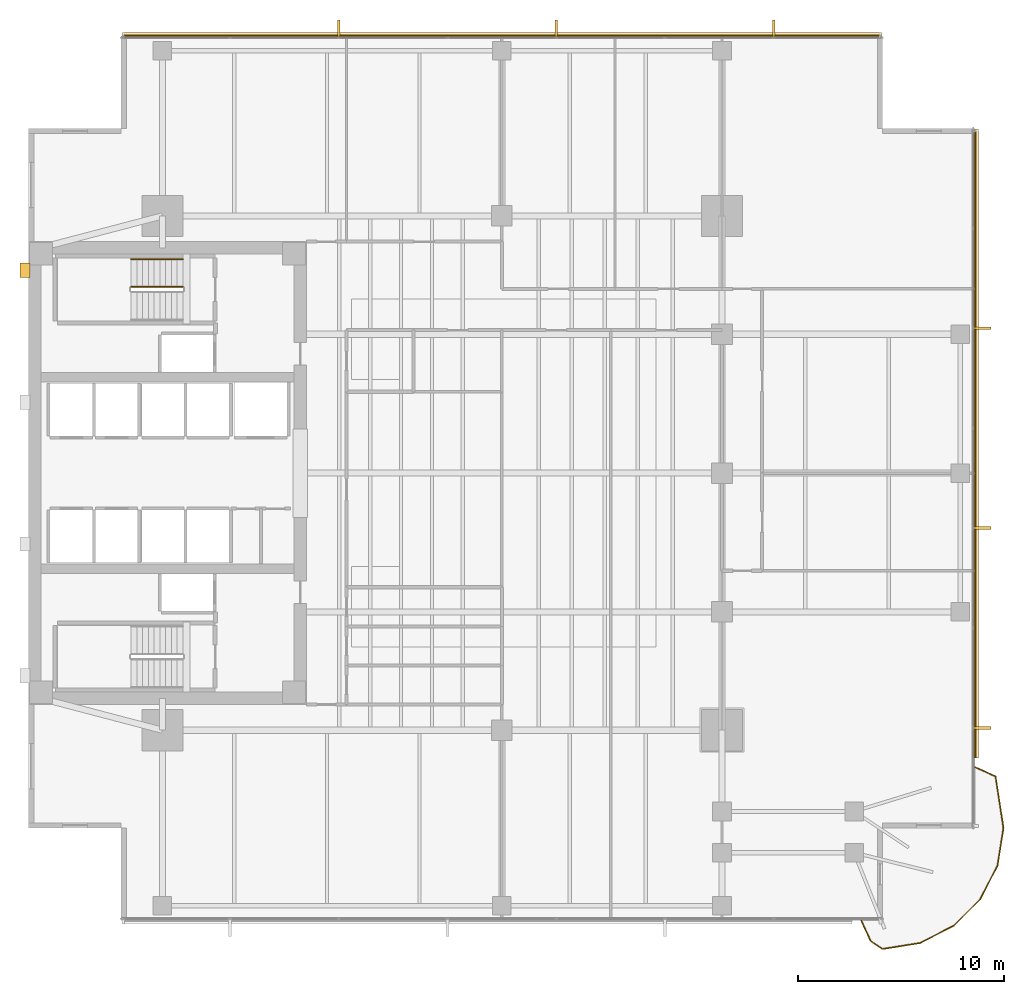
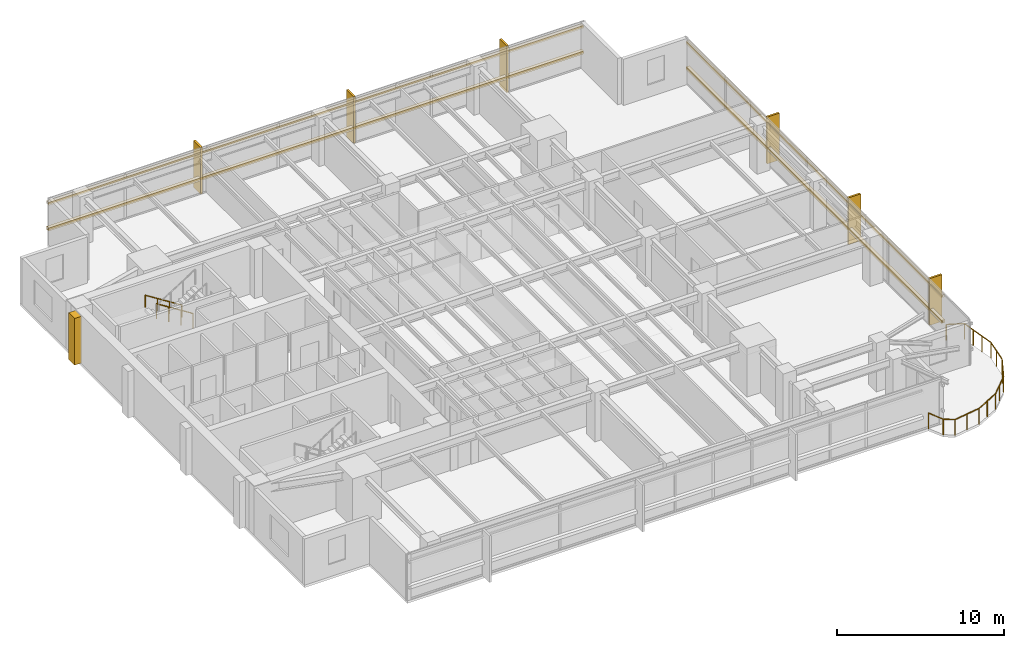
# One storey, part 14 of 14: 11 coverings, 11 railings, 4 shading devices.
"""IFC4 building model written with IfcOpenShell, lengths in metres."""

from ifc_helpers import new_model, si_unit, direction, frame, origin, origin_2d, place, context, subcontext, project, spatial, polyline, rectangle, circle, outline, extrude, material, layer, layer_set, material_profile, profile_set, type_object, element, save


model = new_model("IFC4")

# Units and contexts
model_context = context("Model", 3, precision=1e-05, world=origin(), true_north=direction((0.0, 1.0)))
body_context = subcontext(model_context, "Body", "Model", "MODEL_VIEW")
ifc_project = project(units=[si_unit("LENGTHUNIT", "METRE"), si_unit("AREAUNIT", "SQUARE_METRE"), si_unit("VOLUMEUNIT", "CUBIC_METRE"), si_unit("PLANEANGLEUNIT", "RADIAN"), si_unit("MASSUNIT", "GRAM", prefix="KILO")], contexts=[model_context])

# Site, building, storey
site_placement = place(None, origin())
site = spatial("IfcSite", under=ifc_project, at=site_placement, CompositionType="ELEMENT")
building_placement = place(site_placement, origin())
building = spatial("IfcBuilding", under=site, at=building_placement, Name="Kinhvarn Gate Tower", CompositionType="ELEMENT")
storey_placement = place(building_placement, frame((0.0, 0.0, 116.449951171875)))
storey = spatial("IfcBuildingStorey", under=building, at=storey_placement, Name="L30", CompositionType="ELEMENT", Elevation=116.449951171875)

# Coverings
ifc_material_1 = material(Name="Fired architectural terracotta", Category="masonry")
ifc_layer_1 = layer(ifc_material_1, 0.239990234375)
ifc_layer_set_1 = layer_set([ifc_layer_1], Name="Fired architectural terracotta")
covering_type_1 = type_object("IfcCoveringType", Name="COV-BAG-220", PredefinedType="CLADDING", material=ifc_layer_set_1)
covering_1_placement = place(storey_placement, frame((0.0, 0.0, 0.93994140625)))
element("IfcCovering", 1, at=covering_1_placement, inside=storey, type_object=covering_type_1, Name="Terracotta Horizontal Sunscreen Band TBG-220 (L30)", PredefinedType="CLADDING", context=body_context, shape_type="SweptSolid", body=[
    extrude(outline(polyline([(45.9599609375, 46.429931640625), (9.0400390625, 46.429931640625), (9.0400390625, 46.669921875), (45.9599609375, 46.669921875), (45.9599609375, 46.429931640625)])), origin(), (0.0, 0.0, 1.0), 0.22021484375),
])
covering_2_placement = place(storey_placement, frame((0.0, 0.0, 2.81005859375)))
element("IfcCovering", 2, at=covering_2_placement, inside=storey, type_object=covering_type_1, Name="Terracotta Horizontal Sunscreen Band TBG-220 (L30)", PredefinedType="CLADDING", context=body_context, shape_type="SweptSolid", body=[
    extrude(outline(polyline([(45.9599609375, 46.429931640625), (9.0400390625, 46.429931640625), (9.0400390625, 46.669921875), (45.9599609375, 46.669921875), (45.9599609375, 46.429931640625)])), origin(), (0.0, 0.0, 1.0), 0.219970703125),
])
covering_3_placement = place(storey_placement, frame((0.0, 0.0, 0.93994140625)))
element("IfcCovering", 3, at=covering_3_placement, inside=storey, type_object=covering_type_1, Name="Terracotta Horizontal Sunscreen Band TBG-220 (L30)", PredefinedType="CLADDING", context=body_context, shape_type="SweptSolid", body=[
    extrude(outline(polyline([(50.429931640625, 11.407958984375), (50.429931640625, 41.9599609375), (50.669921875, 41.9599609375), (50.669921875, 11.407958984375), (50.429931640625, 11.407958984375)])), origin(), (0.0, 0.0, 1.0), 0.22021484375),
])
covering_4_placement = place(storey_placement, frame((0.0, 0.0, 2.81005859375)))
element("IfcCovering", 4, at=covering_4_placement, inside=storey, type_object=covering_type_1, Name="Terracotta Horizontal Sunscreen Band TBG-220 (L30)", PredefinedType="CLADDING", context=body_context, shape_type="SweptSolid", body=[
    extrude(outline(polyline([(50.429931640625, 11.407958984375), (50.429931640625, 41.9599609375), (50.669921875, 41.9599609375), (50.669921875, 11.407958984375), (50.429931640625, 11.407958984375)])), origin(), (0.0, 0.0, 1.0), 0.219970703125),
])
ifc_layer_2 = layer(ifc_material_1, 0.139892578125)
ifc_layer_set_2 = layer_set([ifc_layer_2], Name="Fired architectural terracotta")
covering_type_2 = type_object("IfcCoveringType", Name="COV-FIN-850", PredefinedType="CLADDING", material=ifc_layer_set_2)
covering_5_placement = place(storey_placement, frame((0.0, 0.0, -0.02001953125)))
element("IfcCovering", 5, at=covering_5_placement, inside=storey, type_object=covering_type_2, Name="Vertical Terracotta Expressive Fin TFN-850 (L30)", PredefinedType="CLADDING", context=body_context, shape_type="SweptSolid", body=[
    extrude(outline(polyline([(40.7841796875, 46.419921875), (40.644287109375, 46.419921875), (40.644287109375, 47.27001953125), (40.7841796875, 47.27001953125), (40.7841796875, 46.419921875)])), origin(), (0.0, 0.0, 1.0), 3.41015625),
])
covering_6_placement = place(storey_placement, frame((0.0, 0.0, -0.02001953125)))
element("IfcCovering", 6, at=covering_6_placement, inside=storey, type_object=covering_type_2, Name="Vertical Terracotta Expressive Fin TFN-850 (L30)", PredefinedType="CLADDING", context=body_context, shape_type="SweptSolid", body=[
    extrude(outline(polyline([(30.212890625, 46.419921875), (30.072998046875, 46.419921875), (30.072998046875, 47.27001953125), (30.212890625, 47.27001953125), (30.212890625, 46.419921875)])), origin(), (0.0, 0.0, 1.0), 3.41015625),
])
covering_7_placement = place(storey_placement, frame((0.0, 0.0, -0.02001953125)))
element("IfcCovering", 7, at=covering_7_placement, inside=storey, type_object=covering_type_2, Name="Vertical Terracotta Expressive Fin TFN-850 (L30)", PredefinedType="CLADDING", context=body_context, shape_type="SweptSolid", body=[
    extrude(outline(polyline([(19.641357421875, 46.419921875), (19.50146484375, 46.419921875), (19.50146484375, 47.27001953125), (19.641357421875, 47.27001953125), (19.641357421875, 46.419921875)])), origin(), (0.0, 0.0, 1.0), 3.41015625),
])
covering_8_placement = place(storey_placement, frame((0.0, 0.0, -0.02001953125)))
element("IfcCovering", 8, at=covering_8_placement, inside=storey, type_object=covering_type_2, Name="Vertical Terracotta Expressive Fin TFN-850 (L30)", PredefinedType="CLADDING", context=body_context, shape_type="SweptSolid", body=[
    extrude(outline(polyline([(50.419921875, 12.787109375), (50.419921875, 12.927001953125), (51.27001953125, 12.927001953125), (51.27001953125, 12.787109375), (50.419921875, 12.787109375)])), origin(), (0.0, 0.0, 1.0), 3.41015625),
])
covering_9_placement = place(storey_placement, frame((0.0, 0.0, -0.02001953125)))
element("IfcCovering", 9, at=covering_9_placement, inside=storey, type_object=covering_type_2, Name="Vertical Terracotta Expressive Fin TFN-850 (L30)", PredefinedType="CLADDING", context=body_context, shape_type="SweptSolid", body=[
    extrude(outline(polyline([(50.419921875, 22.50146484375), (50.419921875, 22.641357421875), (51.27001953125, 22.641357421875), (51.27001953125, 22.50146484375), (50.419921875, 22.50146484375)])), origin(), (0.0, 0.0, 1.0), 3.41015625),
])
covering_10_placement = place(storey_placement, frame((0.0, 0.0, -0.02001953125)))
element("IfcCovering", 10, at=covering_10_placement, inside=storey, type_object=covering_type_2, Name="Vertical Terracotta Expressive Fin TFN-850 (L30)", PredefinedType="CLADDING", context=body_context, shape_type="SweptSolid", body=[
    extrude(outline(polyline([(50.419921875, 32.2158203125), (50.419921875, 32.355712890625), (51.27001953125, 32.355712890625), (51.27001953125, 32.2158203125), (50.419921875, 32.2158203125)])), origin(), (0.0, 0.0, 1.0), 3.41015625),
])
ifc_material_2 = material(Name="Precast white architectural concrete C40/50", Category="concrete")
ifc_layer_3 = layer(ifc_material_2, 0.47998046875)
ifc_layer_set_3 = layer_set([ifc_layer_3], Name="Precast white architectural concrete C40/50")
covering_type_3 = type_object("IfcCoveringType", Name="COV-RIB-450", PredefinedType="CLADDING", material=ifc_layer_set_3)
covering_11_placement = place(storey_placement, frame((0.0, 0.0, -0.02001953125)))
element("IfcCovering", 11, at=covering_11_placement, inside=storey, type_object=covering_type_3, Name="West Core Sculptural Concrete Relief Rib CRB-450 (L30)", PredefinedType="CLADDING", context=body_context, shape_type="SweptSolid", body=[
    extrude(outline(polyline([(4.080078125, 34.75), (4.56005859375, 34.75), (4.56005859375, 35.449951171875), (4.080078125, 35.449951171875), (4.080078125, 34.75)])), origin(), (0.0, 0.0, 1.0), 3.41015625),
])

# Railings
ifc_material_3 = material(Name="Clear low-e double glazing", Category="glass")
railing_type_1 = type_object("IfcRailingType", Name="RL-BAL-1150", PredefinedType="BALUSTRADE", material=ifc_material_3)
railing_1_placement = place(storey_placement, frame((44.969970703125, 3.5, 0.0)))
element("IfcRailing", 12, at=railing_1_placement, inside=storey, type_object=railing_type_1, Name="S-Carve Balcony Guardrail Seg 1 (L30)", PredefinedType="BALUSTRADE", context=body_context, shape_type="SweptSolid", body=[
    extrude(circle(Radius=0.02392578125, at=origin_2d()), frame((0.0, 0.0, 1.1259765625), z_axis=(0.411748337263, -0.91129759506, 0.0), x_axis=(0.91129759506, 0.411748337263, 0.0)), (0.0, 0.0, 1.0), 1.0927734375),
    extrude(circle(Radius=0.02099609375, at=origin_2d()), origin(), (0.0, 0.0, 1.0), 1.101806640625),
    extrude(circle(Radius=0.02099609375, at=origin_2d()), frame((0.449951171875, -0.995849609375, 0.0)), (0.0, 0.0, 1.0), 1.101806640625),
])
railing_2_placement = place(storey_placement, frame((45.419921875, 2.504150390625, 0.0)))
element("IfcRailing", 13, at=railing_2_placement, inside=storey, type_object=railing_type_1, Name="S-Carve Balcony Guardrail Seg 2 (L30)", PredefinedType="BALUSTRADE", context=body_context, shape_type="SweptSolid", body=[
    extrude(circle(Radius=0.02392578125, at=origin_2d()), frame((0.0, 0.0, 1.1259765625), z_axis=(0.831727026893, -0.55518479152, 0.0), x_axis=(0.55518479152, 0.831727026893, 0.0)), (0.0, 0.0, 1.0), 0.697509765625),
    extrude(circle(Radius=0.02099609375, at=origin_2d()), origin(), (0.0, 0.0, 1.0), 1.101806640625),
    extrude(circle(Radius=0.02099609375, at=origin_2d()), frame((0.580078125, -0.38720703125, 0.0)), (0.0, 0.0, 1.0), 1.101806640625),
])
railing_3_placement = place(storey_placement, frame((46.0, 2.116943359375, 0.0)))
element("IfcRailing", 14, at=railing_3_placement, inside=storey, type_object=railing_type_1, Name="S-Carve Balcony Guardrail Seg 3 (L30)", PredefinedType="BALUSTRADE", context=body_context, shape_type="SweptSolid", body=[
    extrude(circle(Radius=0.02392578125, at=origin_2d()), frame((0.0, 0.0, 1.1259765625), z_axis=(0.987695114208, 0.156391692137, 0.0), x_axis=(-0.156391692137, 0.987695114208, 0.0)), (0.0, 0.0, 1.0), 1.840576171875),
    extrude(circle(Radius=0.02099609375, at=origin_2d()), origin(), (0.0, 0.0, 1.0), 1.101806640625),
    extrude(circle(Radius=0.02099609375, at=origin_2d()), frame((0.908935546875, 0.14404296875, 0.0)), (0.0, 0.0, 1.0), 1.101806640625),
    extrude(circle(Radius=0.02099609375, at=origin_2d()), frame((1.81787109375, 0.287841796875, 0.0)), (0.0, 0.0, 1.0), 1.101806640625),
])
railing_4_placement = place(storey_placement, frame((47.81787109375, 2.40478515625, 0.0)))
element("IfcRailing", 15, at=railing_4_placement, inside=storey, type_object=railing_type_1, Name="S-Carve Balcony Guardrail Seg 4 (L30)", PredefinedType="BALUSTRADE", context=body_context, shape_type="SweptSolid", body=[
    extrude(circle(Radius=0.02392578125, at=origin_2d()), frame((0.0, 0.0, 1.1259765625), z_axis=(0.891006093364, 0.453991345279, 0.0), x_axis=(-0.453991345279, 0.891006093364, 0.0)), (0.0, 0.0, 1.0), 1.8408203125),
    extrude(circle(Radius=0.02099609375, at=origin_2d()), origin(), (0.0, 0.0, 1.0), 1.101806640625),
    extrude(circle(Radius=0.02099609375, at=origin_2d()), frame((0.820068359375, 0.41796875, 0.0)), (0.0, 0.0, 1.0), 1.101806640625),
    extrude(circle(Radius=0.02099609375, at=origin_2d()), frame((1.64013671875, 0.835693359375, 0.0)), (0.0, 0.0, 1.0), 1.101806640625),
])
railing_5_placement = place(storey_placement, frame((49.4580078125, 3.240478515625, 0.0)))
element("IfcRailing", 16, at=railing_5_placement, inside=storey, type_object=railing_type_1, Name="S-Carve Balcony Guardrail Seg 5 (L30)", PredefinedType="BALUSTRADE", context=body_context, shape_type="SweptSolid", body=[
    extrude(circle(Radius=0.02392578125, at=origin_2d()), frame((0.0, 0.0, 1.1259765625), z_axis=(0.707106781187, 0.707106781187, 0.0), x_axis=(-0.707106781187, 0.707106781187, 0.0)), (0.0, 0.0, 1.0), 1.840576171875),
    extrude(circle(Radius=0.02099609375, at=origin_2d()), origin(), (0.0, 0.0, 1.0), 1.101806640625),
    extrude(circle(Radius=0.02099609375, at=origin_2d()), frame((0.65087890625, 0.65087890625, 0.0)), (0.0, 0.0, 1.0), 1.101806640625),
    extrude(circle(Radius=0.02099609375, at=origin_2d()), frame((1.301513671875, 1.301513671875, 0.0)), (0.0, 0.0, 1.0), 1.101806640625),
])
railing_6_placement = place(storey_placement, frame((50.759521484375, 4.5419921875, 0.0)))
element("IfcRailing", 17, at=railing_6_placement, inside=storey, type_object=railing_type_1, Name="S-Carve Balcony Guardrail Seg 6 (L30)", PredefinedType="BALUSTRADE", context=body_context, shape_type="SweptSolid", body=[
    extrude(circle(Radius=0.02392578125, at=origin_2d()), frame((0.0, 0.0, 1.1259765625), z_axis=(0.453991345279, 0.891006093364, 0.0), x_axis=(-0.891006093364, 0.453991345279, 0.0)), (0.0, 0.0, 1.0), 1.8408203125),
    extrude(circle(Radius=0.02099609375, at=origin_2d()), origin(), (0.0, 0.0, 1.0), 1.101806640625),
    extrude(circle(Radius=0.02099609375, at=origin_2d()), frame((0.41796875, 0.820068359375, 0.0)), (0.0, 0.0, 1.0), 1.101806640625),
    extrude(circle(Radius=0.02099609375, at=origin_2d()), frame((0.835693359375, 1.64013671875, 0.0)), (0.0, 0.0, 1.0), 1.101806640625),
])
railing_7_placement = place(storey_placement, frame((51.59521484375, 6.18212890625, 0.0)))
element("IfcRailing", 18, at=railing_7_placement, inside=storey, type_object=railing_type_1, Name="S-Carve Balcony Guardrail Seg 7 (L30)", PredefinedType="BALUSTRADE", context=body_context, shape_type="SweptSolid", body=[
    extrude(circle(Radius=0.02392578125, at=origin_2d()), frame((0.0, 0.0, 1.1259765625), z_axis=(0.156391692137, 0.987695114208, 0.0), x_axis=(-0.987695114208, 0.156391692137, 0.0)), (0.0, 0.0, 1.0), 1.840576171875),
    extrude(circle(Radius=0.02099609375, at=origin_2d()), origin(), (0.0, 0.0, 1.0), 1.101806640625),
    extrude(circle(Radius=0.02099609375, at=origin_2d()), frame((0.14404296875, 0.908935546875, 0.0)), (0.0, 0.0, 1.0), 1.101806640625),
    extrude(circle(Radius=0.02099609375, at=origin_2d()), frame((0.287841796875, 1.81787109375, 0.0)), (0.0, 0.0, 1.0), 1.101806640625),
])
railing_8_placement = place(storey_placement, frame((51.883056640625, 8.0, 0.0)))
element("IfcRailing", 19, at=railing_8_placement, inside=storey, type_object=railing_type_1, Name="S-Carve Balcony Guardrail Seg 8 (L30)", PredefinedType="BALUSTRADE", context=body_context, shape_type="SweptSolid", body=[
    extrude(circle(Radius=0.02392578125, at=origin_2d()), frame((0.0, 0.0, 1.1259765625), z_axis=(-0.152577659306, 0.98829148427, 0.0), x_axis=(-0.98829148427, -0.152577659306, 0.0)), (0.0, 0.0, 1.0), 2.537841796875),
    extrude(circle(Radius=0.02099609375, at=origin_2d()), origin(), (0.0, 0.0, 1.0), 1.101806640625),
    extrude(circle(Radius=0.02099609375, at=origin_2d()), frame((-0.129150390625, 0.8359375, 0.0)), (0.0, 0.0, 1.0), 1.101806640625),
    extrude(circle(Radius=0.02099609375, at=origin_2d()), frame((-0.258056640625, 1.672119140625, 0.0)), (0.0, 0.0, 1.0), 1.101806640625),
    extrude(circle(Radius=0.02099609375, at=origin_2d()), frame((-0.38720703125, 2.508056640625, 0.0)), (0.0, 0.0, 1.0), 1.101806640625),
])
railing_9_placement = place(storey_placement, frame((51.495849609375, 10.508056640625, 0.0)))
element("IfcRailing", 20, at=railing_9_placement, inside=storey, type_object=railing_type_1, Name="S-Carve Balcony Guardrail Seg 9 (L30)", PredefinedType="BALUSTRADE", context=body_context, shape_type="SweptSolid", body=[
    extrude(circle(Radius=0.02392578125, at=origin_2d()), frame((0.0, 0.0, 1.1259765625), z_axis=(-0.91129759506, 0.411748337263, 0.0), x_axis=(-0.411748337263, -0.91129759506, 0.0)), (0.0, 0.0, 1.0), 1.0927734375),
    extrude(circle(Radius=0.02099609375, at=origin_2d()), origin(), (0.0, 0.0, 1.0), 1.101806640625),
    extrude(circle(Radius=0.02099609375, at=origin_2d()), frame((-0.995849609375, 0.449951171875, 0.0)), (0.0, 0.0, 1.0), 1.101806640625),
])
ifc_material_4 = material(Name="Steel S355", Category="steel")
railing_type_2 = type_object("IfcRailingType", Name="RL-ST-GRD", PredefinedType="BALUSTRADE", material=ifc_material_4)
railing_10_placement = place(storey_placement, frame((12.0, 34.300048828125, 0.177490234375)))
element("IfcRailing", 21, at=railing_10_placement, inside=storey, type_object=railing_type_2, Name="L30 ST2 stair guard 1", PredefinedType="BALUSTRADE", context=body_context, shape_type="SweptSolid", body=[
    extrude(circle(Radius=0.02392578125, at=origin_2d()), frame((0.0, 0.0, 1.076171875), z_axis=(-0.84456994832, 0.0, 0.535445237532), x_axis=(0.0, -1.0, 0.0)), (0.0, 0.0, 1.0), 2.98388671875),
    extrude(circle(Radius=0.02099609375, at=origin_2d()), origin(), (0.0, 0.0, 1.0), 1.052001953125),
    extrude(circle(Radius=0.02099609375, at=origin_2d()), frame((-0.840087890625, 0.0, 0.532470703125)), (0.0, 0.0, 1.0), 1.052001953125),
    extrude(circle(Radius=0.02099609375, at=origin_2d()), frame((-1.679931640625, 0.0, 1.065185546875)), (0.0, 0.0, 1.0), 1.052001953125),
    extrude(circle(Radius=0.02099609375, at=origin_2d()), frame((-2.52001953125, 0.0, 1.59765625)), (0.0, 0.0, 1.0), 1.052001953125),
])
railing_type_3 = type_object("IfcRailingType", Name="RL-ST-HND", PredefinedType="HANDRAIL", material=ifc_material_4)
railing_11_placement = place(storey_placement, frame((12.0, 35.64990234375, 0.177490234375)))
element("IfcRailing", 22, at=railing_11_placement, inside=storey, type_object=railing_type_3, Name="L30 ST2 stair handrail 1", PredefinedType="HANDRAIL", context=body_context, shape_type="SweptSolid", body=[
    extrude(circle(Radius=0.02392578125, at=origin_2d()), frame((0.0, 0.0, 0.8759765625), z_axis=(-0.84456994832, 0.0, 0.535445237532), x_axis=(0.0, -1.0, 0.0)), (0.0, 0.0, 1.0), 2.98388671875),
    extrude(circle(Radius=0.02099609375, at=origin_2d()), origin(), (0.0, 0.0, 1.0), 0.851806640625),
    extrude(circle(Radius=0.02099609375, at=origin_2d()), frame((-0.840087890625, 0.0, 0.532470703125)), (0.0, 0.0, 1.0), 0.851806640625),
    extrude(circle(Radius=0.02099609375, at=origin_2d()), frame((-1.679931640625, 0.0, 1.065185546875)), (0.0, 0.0, 1.0), 0.851806640625),
    extrude(circle(Radius=0.02099609375, at=origin_2d()), frame((-2.52001953125, 0.0, 1.59765625)), (0.0, 0.0, 1.0), 0.851806640625),
])

# Shading devices
ifc_material_profile = material_profile(ifc_material_1, rectangle(XDim=0.050048828125, YDim=0.1201171875, at=origin_2d()), Name="TC 50x120")
ifc_profile_set = profile_set([ifc_material_profile], Name="Fired architectural terracotta")
shading_device_type = type_object("IfcShadingDeviceType", Name="SHD-BAG-140", PredefinedType="USERDEFINED", material=ifc_profile_set)
for number, where, z_axis, x_axis, name in (
    (23, (45.9599609375, 46.5, 1.050048828125), (-1.0, 0.0, 0.0), (0.0, -1.0, 0.0), "Upper Tower Terracotta Baguette Screen Rod 50x120 mm (L30)"),
    (24, (45.9599609375, 46.5, 2.920166015625), (-1.0, 0.0, 0.0), (0.0, -1.0, 0.0), "Upper Tower Terracotta Baguette Screen Rod 50x120 mm (L30)"),
):
    element("IfcShadingDevice", number, at=place(storey_placement, frame(where, z_axis=z_axis, x_axis=x_axis)), inside=storey, type_object=shading_device_type, Name=name, ObjectType="BAGUETTE", PredefinedType="USERDEFINED", context=body_context, shape_type="SweptSolid", body=[
        extrude(rectangle(XDim=0.050048828125, YDim=0.1201171875, at=origin_2d()), origin(), (0.0, 0.0, 1.0), 36.919921875),
    ])
for number, where, z_axis, x_axis, name in (
    (25, (50.5, 11.407958984375, 1.050048828125), (0.0, 1.0, 0.0), (-1.0, 0.0, 0.0), "Upper Tower Terracotta Baguette Screen Rod 50x120 mm (L30)"),
    (26, (50.5, 11.407958984375, 2.920166015625), (0.0, 1.0, 0.0), (-1.0, 0.0, 0.0), "Upper Tower Terracotta Baguette Screen Rod 50x120 mm (L30)"),
):
    element("IfcShadingDevice", number, at=place(storey_placement, frame(where, z_axis=z_axis, x_axis=x_axis)), inside=storey, type_object=shading_device_type, Name=name, ObjectType="BAGUETTE", PredefinedType="USERDEFINED", context=body_context, shape_type="SweptSolid", body=[
        extrude(rectangle(XDim=0.050048828125, YDim=0.1201171875, at=origin_2d()), origin(), (0.0, 0.0, 1.0), 30.552001953125),
    ])

save(model, "model.ifc")
